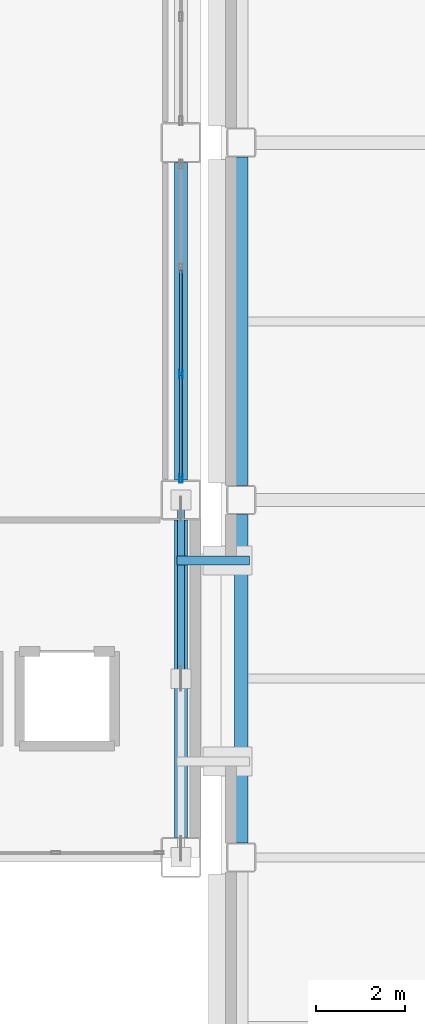
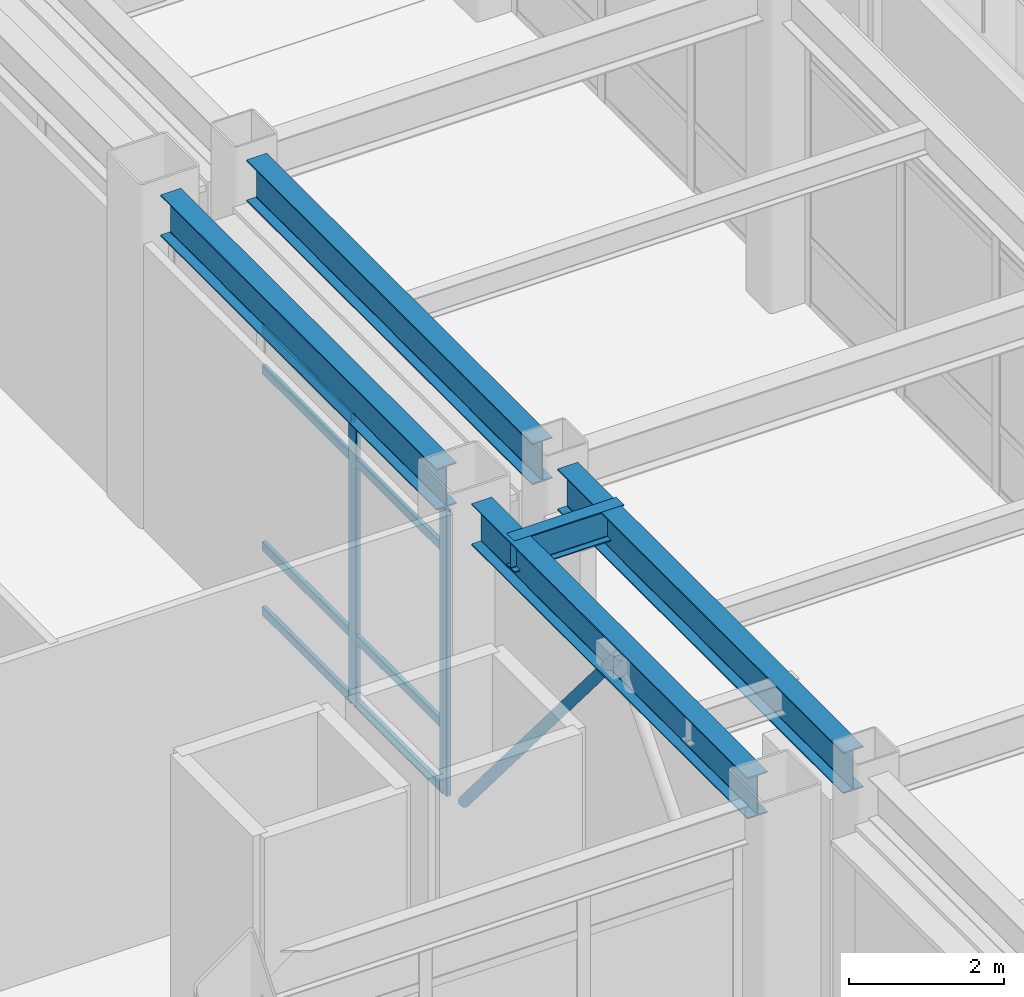
# One storey, part 33 of 165: 11 members, 5 beams, 1 element without a shape of its own.
"""IFC4 building model written with IfcOpenShell, lengths in metres."""

from ifc_helpers import new_model, si_unit, direction, frame, origin, origin_2d, place, context, subcontext, project, spatial, hollow_rectangle, hollow_circle, i_section, extrude, material, layer, layer_set, material_profile, profile_set, type_object, element, aggregate, save


model = new_model("IFC4")

# Units and contexts
model_context = context("Model", 3, precision=1e-05, world=origin(), true_north=direction((0.0, 1.0)))
body_context = subcontext(model_context, "Body", "Model", "MODEL_VIEW")
ifc_project = project(units=[si_unit("LENGTHUNIT", "METRE"), si_unit("AREAUNIT", "SQUARE_METRE"), si_unit("VOLUMEUNIT", "CUBIC_METRE"), si_unit("PLANEANGLEUNIT", "RADIAN"), si_unit("MASSUNIT", "GRAM", prefix="KILO")], contexts=[model_context])

# Site, building, storey
site_placement = place(None, origin())
site = spatial("IfcSite", under=ifc_project, at=site_placement, CompositionType="ELEMENT")
building_placement = place(site_placement, origin())
building = spatial("IfcBuilding", under=site, at=building_placement, Name="Kazehara Bluff Congress Hotel", CompositionType="ELEMENT")
storey_placement = place(building_placement, origin())
storey = spatial("IfcBuildingStorey", under=building, at=storey_placement, Name="L00", CompositionType="ELEMENT", Elevation=0.0)

# Member
ifc_material_1 = material(Name="Steel STK490", Category="steel")
ifc_material_profile_1 = material_profile(ifc_material_1, hollow_circle(Radius=0.08251953125, WallThickness=0.007080078125, at=origin_2d()))
ifc_profile_set_1 = profile_set([ifc_material_profile_1], Name="Steel STK490")
member_type_1 = type_object("IfcMemberType", Name="TP-BR-02", PredefinedType="BRACE", material=ifc_profile_set_1)
member_1_placement = place(storey_placement, frame((58.35009765625, 56.449951171875, 0.14990234375), z_axis=(0.0, -0.6461154702, 0.763239673477), x_axis=(1.0, 0.0, 0.0)))
element("IfcMember", 1, at=member_1_placement, inside=storey, type_object=member_type_1, Name="L00 chevron brace BR-02 6", PredefinedType="BRACE", context=body_context, shape_type="SweptSolid", body=[
    extrude(hollow_circle(Radius=0.08251953125, WallThickness=0.007080078125, at=origin_2d()), origin(), (0.0, 0.0, 1.0), 6.19091796875),
])

# Curtain wall, members
ifc_material_2 = material(Name="Anodised aluminium", Category="aluminium")
ifc_layer = layer(ifc_material_2, 0.159912109375)
ifc_layer_set = layer_set([ifc_layer], Name="Anodised aluminium")
curtain_wall_type = type_object("IfcCurtainWallType", Name="TP-CW-17", PredefinedType="NOTDEFINED", material=ifc_layer_set)
curtain_wall_placement = place(storey_placement, origin())
curtain_wall = element("IfcCurtainWall", 2, at=curtain_wall_placement, inside=storey, type_object=curtain_wall_type, Name="L00 curtain wall CW-17 CW-V1-L00-X5835-5690", PredefinedType="NOTDEFINED")
ifc_material_3 = material(Name="Anodised aluminium", Category="aluminium")
ifc_material_profile_2 = material_profile(ifc_material_3, hollow_rectangle(XDim=0.070068359375, YDim=0.199951171875, WallThickness=0.0048828125, InnerFilletRadius=0.0048828125, OuterFilletRadius=0.010009765625, at=origin_2d()))
ifc_profile_set_2 = profile_set([ifc_material_profile_2], Name="Anodised aluminium")
member_type_2 = type_object("IfcMemberType", Name="TP-CWM-03", PredefinedType="MULLION", material=ifc_profile_set_2)
member_2_placement = place(storey_placement, frame((58.35009765625, 56.93505859375, 0.0), z_axis=(0.0, 0.0, 1.0), x_axis=(-1.0, 0.0, 0.0)))
member_2 = element("IfcMember", 3, at=member_2_placement, type_object=member_type_2, Name="CW-17 mullion 1", PredefinedType="MULLION", context=body_context, shape_type="SweptSolid", body=[
    extrude(hollow_rectangle(XDim=0.070068359375, YDim=0.199951171875, WallThickness=0.0048828125, InnerFilletRadius=0.0048828125, OuterFilletRadius=0.010009765625, at=origin_2d()), origin(), (0.0, 0.0, 1.0), 4.47509765625),
])
member_3_placement = place(storey_placement, frame((58.35009765625, 59.2666015625, 0.0), z_axis=(0.0, 0.0, 1.0), x_axis=(-1.0, 0.0, 0.0)))
member_3 = element("IfcMember", 4, at=member_3_placement, type_object=member_type_2, Name="CW-17 mullion 2", PredefinedType="MULLION", context=body_context, shape_type="SweptSolid", body=[
    extrude(hollow_rectangle(XDim=0.070068359375, YDim=0.199951171875, WallThickness=0.0048828125, InnerFilletRadius=0.0048828125, OuterFilletRadius=0.010009765625, at=origin_2d()), origin(), (0.0, 0.0, 1.0), 4.47509765625),
])
ifc_material_4 = material(Name="Anodised aluminium", Category="aluminium")
ifc_material_profile_3 = material_profile(ifc_material_4, hollow_rectangle(XDim=0.06494140625, YDim=0.139892578125, WallThickness=0.00390625, InnerFilletRadius=0.00390625, OuterFilletRadius=0.008056640625, at=origin_2d()))
ifc_profile_set_3 = profile_set([ifc_material_profile_3], Name="Anodised aluminium")
member_type_3 = type_object("IfcMemberType", Name="TP-CWT-02", PredefinedType="USERDEFINED", material=ifc_profile_set_3)
member_4_placement = place(storey_placement, frame((58.35009765625, 56.969970703125, 0.032470703125), z_axis=(0.0, 1.0, 0.0), x_axis=(-1.0, 0.0, 0.0)))
member_4 = element("IfcMember", 5, at=member_4_placement, type_object=member_type_3, Name="CW-17 transom 1.1", ObjectType="TRANSOM", PredefinedType="USERDEFINED", context=body_context, shape_type="SweptSolid", body=[
    extrude(hollow_rectangle(XDim=0.06494140625, YDim=0.139892578125, WallThickness=0.00390625, InnerFilletRadius=0.00390625, OuterFilletRadius=0.008056640625, at=origin_2d()), origin(), (0.0, 0.0, 1.0), 2.26171875),
])
member_5_placement = place(storey_placement, frame((58.35009765625, 56.969970703125, 1.050048828125), z_axis=(0.0, 1.0, 0.0), x_axis=(-1.0, 0.0, 0.0)))
member_5 = element("IfcMember", 6, at=member_5_placement, type_object=member_type_3, Name="CW-17 transom 1.2", ObjectType="TRANSOM", PredefinedType="USERDEFINED", context=body_context, shape_type="SweptSolid", body=[
    extrude(hollow_rectangle(XDim=0.06494140625, YDim=0.139892578125, WallThickness=0.00390625, InnerFilletRadius=0.00390625, OuterFilletRadius=0.008056640625, at=origin_2d()), origin(), (0.0, 0.0, 1.0), 2.26171875),
])
member_6_placement = place(storey_placement, frame((58.35009765625, 56.969970703125, 3.824951171875), z_axis=(0.0, 1.0, 0.0), x_axis=(-1.0, 0.0, 0.0)))
member_6 = element("IfcMember", 7, at=member_6_placement, type_object=member_type_3, Name="CW-17 transom 1.3", ObjectType="TRANSOM", PredefinedType="USERDEFINED", context=body_context, shape_type="SweptSolid", body=[
    extrude(hollow_rectangle(XDim=0.06494140625, YDim=0.139892578125, WallThickness=0.00390625, InnerFilletRadius=0.00390625, OuterFilletRadius=0.008056640625, at=origin_2d()), origin(), (0.0, 0.0, 1.0), 2.26171875),
])
member_7_placement = place(storey_placement, frame((58.35009765625, 56.969970703125, 4.4423828125), z_axis=(0.0, 1.0, 0.0), x_axis=(-1.0, 0.0, 0.0)))
member_7 = element("IfcMember", 8, at=member_7_placement, type_object=member_type_3, Name="CW-17 transom 1.4", ObjectType="TRANSOM", PredefinedType="USERDEFINED", context=body_context, shape_type="SweptSolid", body=[
    extrude(hollow_rectangle(XDim=0.06494140625, YDim=0.139892578125, WallThickness=0.00390625, InnerFilletRadius=0.00390625, OuterFilletRadius=0.008056640625, at=origin_2d()), origin(), (0.0, 0.0, 1.0), 2.26171875),
])
member_8_placement = place(storey_placement, frame((58.35009765625, 59.3017578125, 0.032470703125), z_axis=(0.0, 1.0, 0.0), x_axis=(-1.0, 0.0, 0.0)))
member_8 = element("IfcMember", 9, at=member_8_placement, type_object=member_type_3, Name="CW-17 transom 2.1", ObjectType="TRANSOM", PredefinedType="USERDEFINED", context=body_context, shape_type="SweptSolid", body=[
    extrude(hollow_rectangle(XDim=0.06494140625, YDim=0.139892578125, WallThickness=0.00390625, InnerFilletRadius=0.00390625, OuterFilletRadius=0.008056640625, at=origin_2d()), origin(), (0.0, 0.0, 1.0), 2.296630859375),
])
member_9_placement = place(storey_placement, frame((58.35009765625, 59.3017578125, 1.050048828125), z_axis=(0.0, 1.0, 0.0), x_axis=(-1.0, 0.0, 0.0)))
member_9 = element("IfcMember", 10, at=member_9_placement, type_object=member_type_3, Name="CW-17 transom 2.2", ObjectType="TRANSOM", PredefinedType="USERDEFINED", context=body_context, shape_type="SweptSolid", body=[
    extrude(hollow_rectangle(XDim=0.06494140625, YDim=0.139892578125, WallThickness=0.00390625, InnerFilletRadius=0.00390625, OuterFilletRadius=0.008056640625, at=origin_2d()), origin(), (0.0, 0.0, 1.0), 2.296630859375),
])
member_10_placement = place(storey_placement, frame((58.35009765625, 59.3017578125, 3.824951171875), z_axis=(0.0, 1.0, 0.0), x_axis=(-1.0, 0.0, 0.0)))
member_10 = element("IfcMember", 11, at=member_10_placement, type_object=member_type_3, Name="CW-17 transom 2.3", ObjectType="TRANSOM", PredefinedType="USERDEFINED", context=body_context, shape_type="SweptSolid", body=[
    extrude(hollow_rectangle(XDim=0.06494140625, YDim=0.139892578125, WallThickness=0.00390625, InnerFilletRadius=0.00390625, OuterFilletRadius=0.008056640625, at=origin_2d()), origin(), (0.0, 0.0, 1.0), 2.296630859375),
])
member_11_placement = place(storey_placement, frame((58.35009765625, 59.3017578125, 4.4423828125), z_axis=(0.0, 1.0, 0.0), x_axis=(-1.0, 0.0, 0.0)))
member_11 = element("IfcMember", 12, at=member_11_placement, type_object=member_type_3, Name="CW-17 transom 2.4", ObjectType="TRANSOM", PredefinedType="USERDEFINED", context=body_context, shape_type="SweptSolid", body=[
    extrude(hollow_rectangle(XDim=0.06494140625, YDim=0.139892578125, WallThickness=0.00390625, InnerFilletRadius=0.00390625, OuterFilletRadius=0.008056640625, at=origin_2d()), origin(), (0.0, 0.0, 1.0), 2.296630859375),
])
aggregate(curtain_wall, [member_2, member_3, member_4, member_5, member_6, member_7, member_8, member_9, member_10, member_11])

# Beams
ifc_material_5 = material(Name="Steel SN490B", Category="steel")
ifc_material_profile_4 = material_profile(ifc_material_5, i_section(OverallWidth=0.199951171875, OverallDepth=0.5, WebThickness=0.010009765625, FlangeThickness=0.01611328125, FilletRadius=0.012939453125, at=origin_2d()))
ifc_profile_set_4 = profile_set([ifc_material_profile_4], Name="Steel SN490B")
beam_type_1 = type_object("IfcBeamType", Name="TP-G-01", PredefinedType="BEAM", material=ifc_profile_set_4)
beam_placement = place(storey_placement, frame((58.260009765625, 55.10009765625, 4.89990234375), z_axis=(1.0, 0.0, 0.0), x_axis=(0.0, 1.0, 0.0)))
element("IfcBeam", 13, at=beam_placement, inside=storey, type_object=beam_type_1, Name="Bridge link beam BRG-14 L01-2", PredefinedType="BEAM", context=body_context, shape_type="SweptSolid", body=[
    extrude(i_section(OverallWidth=0.199951171875, OverallDepth=0.5, WebThickness=0.010009765625, FlangeThickness=0.01611328125, FilletRadius=0.012939453125, at=origin_2d()), origin(), (0.0, 0.0, 1.0), 1.6298828125),
])
ifc_material_6 = material(Name="Steel SN490B", Category="steel")
ifc_material_profile_5 = material_profile(ifc_material_6, i_section(OverallWidth=0.300048828125, OverallDepth=0.64990234375, WebThickness=0.011962890625, FlangeThickness=0.02001953125, FilletRadius=0.012939453125, at=origin_2d()))
ifc_profile_set_5 = profile_set([ifc_material_profile_5], Name="Steel SN490B")
beam_type_2 = type_object("IfcBeamType", Name="TP-G-03", PredefinedType="BEAM", material=ifc_profile_set_5)
for number, where, z_axis, x_axis, name in (
    (14, (58.35009765625, 48.89990234375, 4.824951171875), (0.0, 1.0, 0.0), (-1.0, 0.0, 0.0), "L00 girder G-03 17"),
    (15, (58.35009765625, 56.89990234375, 4.824951171875), (0.0, 1.0, 0.0), (-1.0, 0.0, 0.0), "L00 girder G-03 18"),
):
    element("IfcBeam", number, at=place(storey_placement, frame(where, z_axis=z_axis, x_axis=x_axis)), inside=storey, type_object=beam_type_2, Name=name, PredefinedType="BEAM", context=body_context, shape_type="SweptSolid", body=[
        extrude(i_section(OverallWidth=0.300048828125, OverallDepth=0.64990234375, WebThickness=0.011962890625, FlangeThickness=0.02001953125, FilletRadius=0.012939453125, at=origin_2d()), origin(), (0.0, 0.0, 1.0), 7.10009765625),
    ])
for number, where, z_axis, x_axis, name in (
    (16, (59.699951171875, 48.77490234375, 4.824951171875), (0.0, 1.0, 0.0), (-1.0, 0.0, 0.0), "L00 girder G-03 152"),
    (17, (59.699951171875, 56.77490234375, 4.824951171875), (0.0, 1.0, 0.0), (-1.0, 0.0, 0.0), "L00 girder G-03 153"),
):
    element("IfcBeam", number, at=place(storey_placement, frame(where, z_axis=z_axis, x_axis=x_axis)), inside=storey, type_object=beam_type_2, Name=name, PredefinedType="BEAM", context=body_context, shape_type="SweptSolid", body=[
        extrude(i_section(OverallWidth=0.300048828125, OverallDepth=0.64990234375, WebThickness=0.011962890625, FlangeThickness=0.02001953125, FilletRadius=0.012939453125, at=origin_2d()), origin(), (0.0, 0.0, 1.0), 7.35009765625),
    ])

save(model, "model.ifc")
